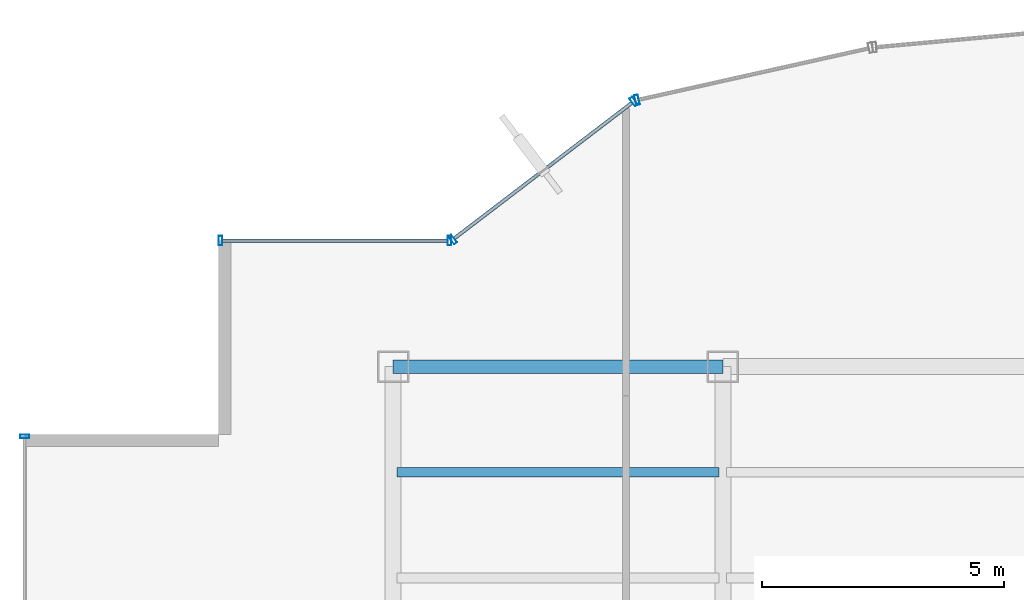
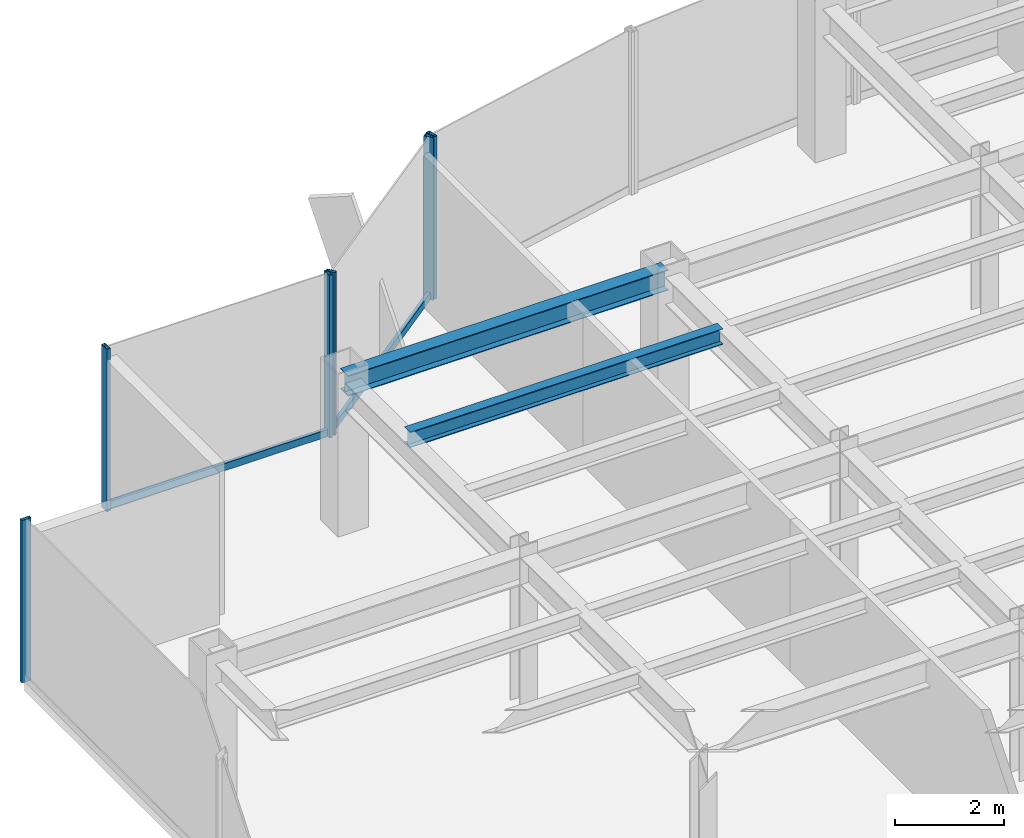
# One storey, part 14 of 25: 8 members, 2 beams, 4 elements without a shape of their own.
"""IFC4 building model written with IfcOpenShell, lengths in metres."""

from ifc_helpers import new_model, si_unit, derived_unit, direction, frame, origin, origin_2d, place, context, subcontext, project, spatial, hollow_rectangle, i_section, extrude, source, transform, mapped, material, material_profile, profile_set, type_object, element, aggregate, save


model = new_model("IFC4")

# Units and contexts
model_context = context("Model", 3, precision=1e-05, world=origin(), true_north=direction((0.0, 1.0)))
body_context = subcontext(model_context, "Body", "Model", "MODEL_VIEW")
ifc_project = project(units=[si_unit("LENGTHUNIT", "METRE"), si_unit("AREAUNIT", "SQUARE_METRE"), si_unit("VOLUMEUNIT", "CUBIC_METRE"), si_unit("PLANEANGLEUNIT", "RADIAN"), si_unit("MASSUNIT", "GRAM", prefix="KILO"), derived_unit("THERMALTRANSMITTANCEUNIT", [(si_unit("POWERUNIT", "WATT"), 1), (si_unit("LENGTHUNIT", "METRE"), -2), (si_unit("THERMODYNAMICTEMPERATUREUNIT", "KELVIN"), -1)])], contexts=[model_context])

# Site, building, storey
site_placement = place(None, origin())
site = spatial("IfcSite", under=ifc_project, at=site_placement, CompositionType="ELEMENT")
building_placement = place(site_placement, origin())
building = spatial("IfcBuilding", under=site, at=building_placement, Name="Skarnbrae Concourse Arena and Tower", CompositionType="ELEMENT")
storey_placement = place(building_placement, frame((0.0, 0.0, 166.14990234375)))
storey = spatial("IfcBuildingStorey", under=building, at=storey_placement, Name="L42", CompositionType="ELEMENT", Elevation=166.14990234375)

# Beams
ifc_material_1 = material(Name="Steel CSA G40.21 350W", Category="steel")
ifc_material_profile_1 = material_profile(ifc_material_1, i_section(OverallWidth=0.280029296875, OverallDepth=0.462890625, WebThickness=0.0107421875, FlangeThickness=0.017333984375, at=origin_2d()), Name="W460X113")
ifc_profile_set_1 = profile_set([ifc_material_profile_1], Name="Steel CSA G40.21 350W")
beam_type_1 = type_object("IfcBeamType", Name="BM-SPAN-W460X113", PredefinedType="SPANDREL", material=ifc_profile_set_1)
shared_shape_1 = source(origin(), body_context, "Body", "SweptSolid", [
    extrude(i_section(OverallWidth=0.280029296875, OverallDepth=0.462890625, WebThickness=0.0107421875, FlangeThickness=0.017333984375, at=origin_2d()), origin(), (0.0, 0.0, 1.0), 6.7998046875),
])
beam_1_placement = place(storey_placement, frame((7.60009765625, 34.39990234375, 3.168701171875), z_axis=(1.0, 0.0, 0.0), x_axis=(0.0, 1.0, 0.0)))
element("IfcBeam", 1, at=beam_1_placement, inside=storey, type_object=beam_type_1, Name="L42 Perimeter spandrel Y34.4-1", PredefinedType="SPANDREL", context=body_context, shape_type="MappedRepresentation", body=[
    mapped(shared_shape_1, transform((0.0, 0.0, 0.0))),
])
ifc_material_profile_2 = material_profile(ifc_material_1, i_section(OverallWidth=0.205078125, OverallDepth=0.35400390625, WebThickness=0.009521484375, FlangeThickness=0.016845703125, at=origin_2d()), Name="W360X79")
ifc_profile_set_2 = profile_set([ifc_material_profile_2], Name="Steel CSA G40.21 350W")
beam_type_2 = type_object("IfcBeamType", Name="BM-JOIST-W360X79", PredefinedType="JOIST", material=ifc_profile_set_2)
shared_shape_2 = source(origin(), body_context, "Body", "SweptSolid", [
    extrude(i_section(OverallWidth=0.205078125, OverallDepth=0.35400390625, WebThickness=0.009521484375, FlangeThickness=0.016845703125, at=origin_2d()), origin(), (0.0, 0.0, 1.0), 6.64013671875),
])
beam_2_placement = place(storey_placement, frame((7.679931640625, 32.221923828125, 3.22314453125), z_axis=(1.0, 0.0, 0.0), x_axis=(0.0, 1.0, 0.0)))
element("IfcBeam", 2, at=beam_2_placement, inside=storey, type_object=beam_type_2, Name="L42 Secondary floor joist 3.2.1", PredefinedType="JOIST", context=body_context, shape_type="MappedRepresentation", body=[
    mapped(shared_shape_2, transform((0.0, 0.0, 0.0))),
])

# Curtain wall, member
ifc_material_2 = material(Name="Bronze anodised aluminium 6063-T6", Category="aluminium")
curtain_wall_type_1 = type_object("IfcCurtainWallType", Name="CW-SYS-03-PORTAL", PredefinedType="USERDEFINED", material=ifc_material_2)
curtain_wall_1_placement = place(storey_placement, origin())
curtain_wall_1 = element("IfcCurtainWall", 3, at=curtain_wall_1_placement, inside=storey, type_object=curtain_wall_type_1, Name="L42 Unitised curtain wall CW-L42-E13", ObjectType="UNITISED CURTAIN WALL", PredefinedType="USERDEFINED")
ifc_material_profile_3 = material_profile(ifc_material_2, hollow_rectangle(XDim=0.080078125, YDim=0.2099609375, WallThickness=0.00439453125, at=origin_2d()), Name="ALU-MULL-80X210")
ifc_profile_set_3 = profile_set([ifc_material_profile_3], Name="Bronze anodised aluminium 6063-T6")
member_type_1 = type_object("IfcMemberType", Name="CWM-CW-03", PredefinedType="MULLION", material=ifc_profile_set_3)
shared_shape_3 = source(origin(), body_context, "Body", "SweptSolid", [
    extrude(hollow_rectangle(XDim=0.080078125, YDim=0.2099609375, WallThickness=0.00439453125, at=origin_2d()), origin(), (0.0, 0.0, 1.0), 3.650146484375),
])
member_1_placement = place(storey_placement, frame((12.62939453125, 39.9013671875, 0.0), z_axis=(0.0, 0.0, 1.0), x_axis=(-0.975936175393, -0.218056372433, 0.0)))
member_1 = element("IfcMember", 4, at=member_1_placement, type_object=member_type_1, Name="CW-L42-E13 Mullion 2", PredefinedType="MULLION", context=body_context, shape_type="MappedRepresentation", body=[
    mapped(shared_shape_3, transform((0.0, 0.0, 0.0))),
])
aggregate(curtain_wall_1, [member_1])

# Curtain wall, members
curtain_wall_type_2 = type_object("IfcCurtainWallType", Name="CW-SYS-04-MIDZONE", PredefinedType="USERDEFINED", material=ifc_material_2)
curtain_wall_2_placement = place(storey_placement, origin())
curtain_wall_2 = element("IfcCurtainWall", 5, at=curtain_wall_2_placement, inside=storey, type_object=curtain_wall_type_2, Name="L42 Unitised curtain wall CW-L42-E14", ObjectType="UNITISED CURTAIN WALL", PredefinedType="USERDEFINED")
ifc_material_profile_4 = material_profile(ifc_material_2, hollow_rectangle(XDim=0.074951171875, YDim=0.195068359375, WallThickness=0.00439453125, at=origin_2d()), Name="ALU-MULL-75X195")
ifc_profile_set_4 = profile_set([ifc_material_profile_4], Name="Bronze anodised aluminium 6063-T6")
member_type_2 = type_object("IfcMemberType", Name="CWM-CW-04", PredefinedType="MULLION", material=ifc_profile_set_4)
shared_shape_4 = source(origin(), body_context, "Body", "SweptSolid", [
    extrude(hollow_rectangle(XDim=0.074951171875, YDim=0.195068359375, WallThickness=0.00439453125, at=origin_2d()), origin(), (0.0, 0.0, 1.0), 3.650146484375),
])
member_2_placement = place(storey_placement, frame((12.560791015625, 39.869873046875, 0.0), z_axis=(0.0, 0.0, 1.0), x_axis=(-0.794956000706, -0.606667089054, 0.0)))
member_2 = element("IfcMember", 6, at=member_2_placement, type_object=member_type_2, Name="CW-L42-E14 Mullion 1", PredefinedType="MULLION", context=body_context, shape_type="MappedRepresentation", body=[
    mapped(shared_shape_4, transform((0.0, 0.0, 0.0))),
])
member_3_placement = place(storey_placement, frame((8.829833984375, 37.022705078125, 0.0), z_axis=(0.0, 0.0, 1.0), x_axis=(-0.794956000706, -0.606667089054, 0.0)))
member_3 = element("IfcMember", 7, at=member_3_placement, type_object=member_type_2, Name="CW-L42-E14 Mullion 2", PredefinedType="MULLION", context=body_context, shape_type="MappedRepresentation", body=[
    mapped(shared_shape_4, transform((0.0, 0.0, 0.0))),
])

curtain_wall_3_placement = place(storey_placement, origin())
curtain_wall_3 = element("IfcCurtainWall", 8, at=curtain_wall_3_placement, inside=storey, type_object=curtain_wall_type_2, Name="L42 Unitised curtain wall CW-L42-E15", ObjectType="UNITISED CURTAIN WALL", PredefinedType="USERDEFINED")
member_4_placement = place(storey_placement, frame((8.762451171875, 37.0, 0.0), z_axis=(0.0, 0.0, 1.0), x_axis=(-1.0, 0.0, 0.0)))
member_4 = element("IfcMember", 9, at=member_4_placement, type_object=member_type_2, Name="CW-L42-E15 Mullion 1", PredefinedType="MULLION", context=body_context, shape_type="MappedRepresentation", body=[
    mapped(shared_shape_4, transform((0.0, 0.0, 0.0))),
])
member_5_placement = place(storey_placement, frame((4.03759765625, 37.0, 0.0), z_axis=(0.0, 0.0, 1.0), x_axis=(-1.0, 0.0, 0.0)))
member_5 = element("IfcMember", 10, at=member_5_placement, type_object=member_type_2, Name="CW-L42-E15 Mullion 2", PredefinedType="MULLION", context=body_context, shape_type="MappedRepresentation", body=[
    mapped(shared_shape_4, transform((0.0, 0.0, 0.0))),
])

# Curtain wall, member
curtain_wall_4_placement = place(storey_placement, origin())
curtain_wall_4 = element("IfcCurtainWall", 11, at=curtain_wall_4_placement, inside=storey, type_object=curtain_wall_type_2, Name="L42 Unitised curtain wall CW-L42-E18", ObjectType="UNITISED CURTAIN WALL", PredefinedType="USERDEFINED")
member_6_placement = place(storey_placement, frame((0.0, 32.96240234375, 0.0), z_axis=(0.0, 0.0, 1.0), x_axis=(0.0, -1.0, 0.0)))
member_6 = element("IfcMember", 12, at=member_6_placement, type_object=member_type_2, Name="CW-L42-E18 Mullion 1", PredefinedType="MULLION", context=body_context, shape_type="MappedRepresentation", body=[
    mapped(shared_shape_4, transform((0.0, 0.0, 0.0))),
])
aggregate(curtain_wall_4, [member_6])

# Member
ifc_material_profile_5 = material_profile(ifc_material_2, hollow_rectangle(XDim=0.074951171875, YDim=0.159912109375, WallThickness=0.00439453125, at=origin_2d()), Name="ALU-TRAN-75X160")
ifc_profile_set_5 = profile_set([ifc_material_profile_5], Name="Bronze anodised aluminium 6063-T6")
member_type_3 = type_object("IfcMemberType", Name="CWT-CW-04", PredefinedType="USERDEFINED", material=ifc_profile_set_5)
shared_shape_5 = source(origin(), body_context, "Body", "SweptSolid", [
    extrude(hollow_rectangle(XDim=0.074951171875, YDim=0.159912109375, WallThickness=0.00439453125, at=origin_2d()), origin(), (0.0, 0.0, 1.0), 4.650146484375),
])
member_7_placement = place(storey_placement, frame((8.72509765625, 37.0, 0.080078125), z_axis=(-1.0, 0.0, 0.0), x_axis=(0.0, -1.0, 0.0)))
member_7 = element("IfcMember", 13, at=member_7_placement, type_object=member_type_3, Name="CW-L42-E15 Transom 1", ObjectType="TRANSOM", PredefinedType="USERDEFINED", context=body_context, shape_type="MappedRepresentation", body=[
    mapped(shared_shape_5, transform((0.0, 0.0, 0.0))),
])

aggregate(curtain_wall_3, [member_4, member_5, member_7])

shared_shape_6 = source(origin(), body_context, "Body", "SweptSolid", [
    extrude(hollow_rectangle(XDim=0.074951171875, YDim=0.159912109375, WallThickness=0.00439453125, at=origin_2d()), origin(), (0.0, 0.0, 1.0), 4.618408203125),
])
member_8_placement = place(storey_placement, frame((12.531005859375, 39.84716796875, 0.080078125), z_axis=(-0.794960638756, -0.606661011462, 0.0), x_axis=(0.606661011462, -0.794960638756, 0.0)))
member_8 = element("IfcMember", 14, at=member_8_placement, type_object=member_type_3, Name="CW-L42-E14 Transom 1", ObjectType="TRANSOM", PredefinedType="USERDEFINED", context=body_context, shape_type="MappedRepresentation", body=[
    mapped(shared_shape_6, transform((0.0, 0.0, 0.0))),
])

aggregate(curtain_wall_2, [member_2, member_3, member_8])

save(model, "model.ifc")
